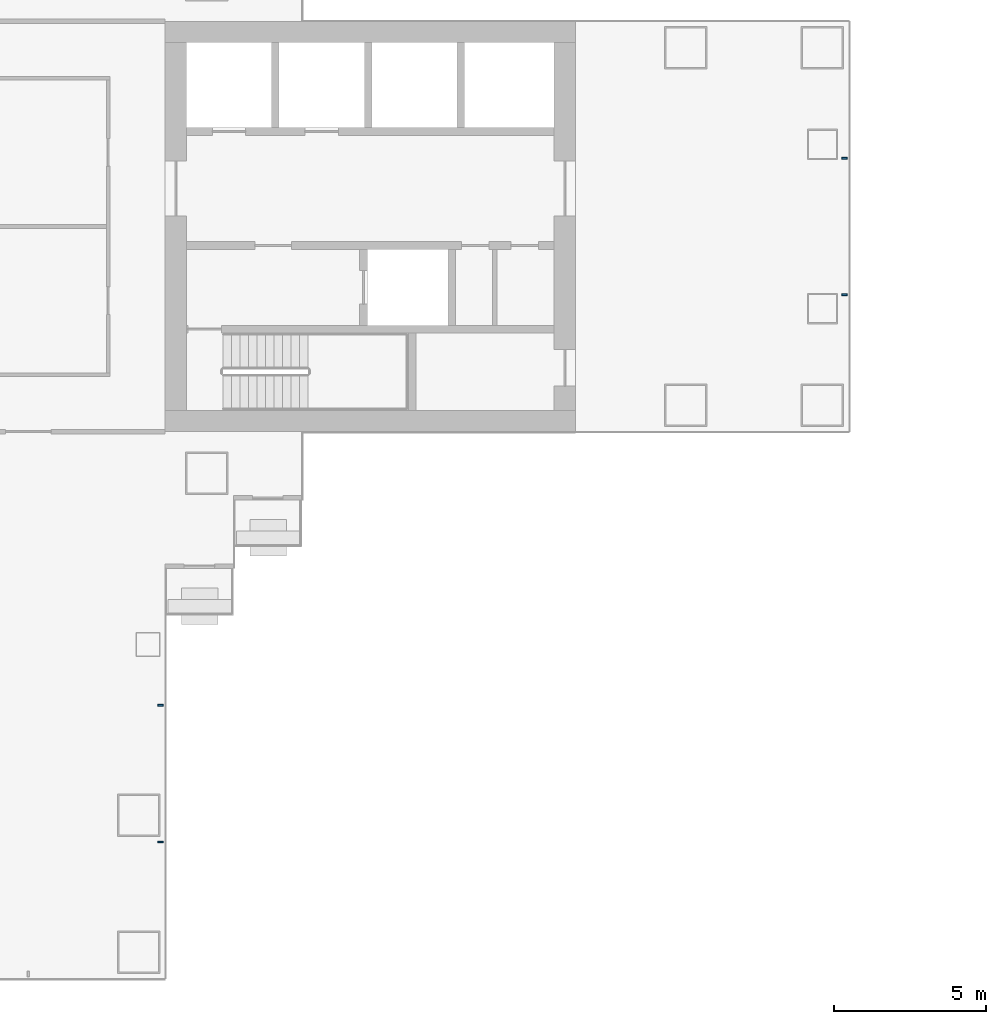
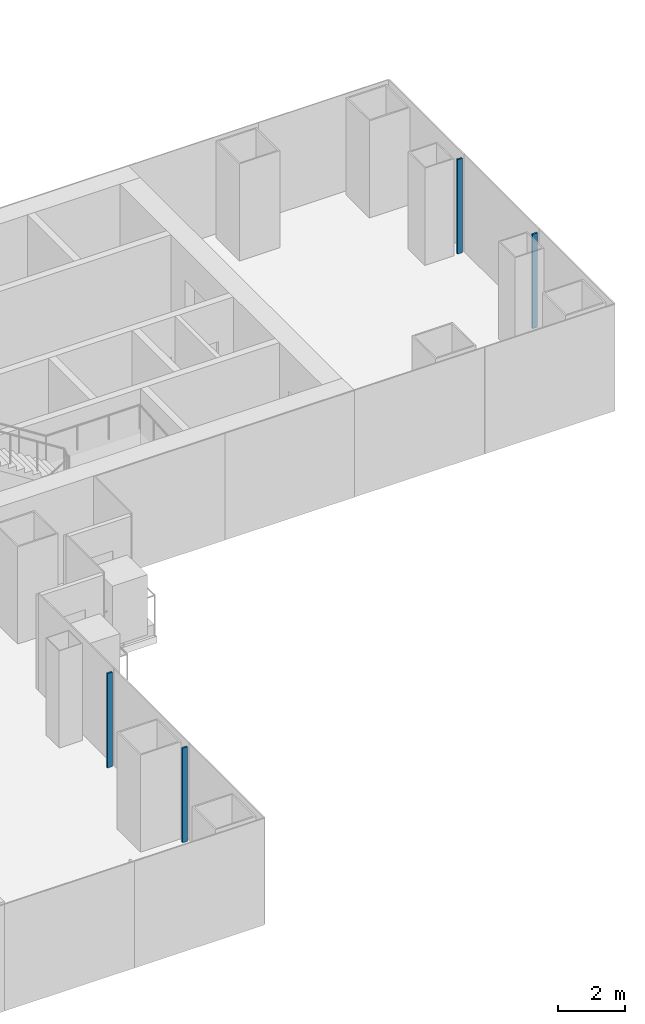
# One storey, part 5 of 21: 4 members, 2 elements without a shape of their own.
"""IFC4 building model written with IfcOpenShell, lengths in metres."""

from ifc_helpers import new_model, si_unit, direction, frame, origin, origin_2d, place, context, subcontext, project, spatial, rectangle, extrude, material, layer, layer_set, material_profile, profile_set, type_object, element, aggregate, save


model = new_model("IFC4")

# Units and contexts
model_context = context("Model", 3, precision=1e-05, world=origin(), true_north=direction((0.0, 1.0)))
body_context = subcontext(model_context, "Body", "Model", "MODEL_VIEW")
ifc_project = project(units=[si_unit("LENGTHUNIT", "METRE"), si_unit("AREAUNIT", "SQUARE_METRE"), si_unit("VOLUMEUNIT", "CUBIC_METRE"), si_unit("PLANEANGLEUNIT", "RADIAN"), si_unit("MASSUNIT", "GRAM", prefix="KILO")], contexts=[model_context])

# Site, building, storey
site_placement = place(None, origin())
site = spatial("IfcSite", under=ifc_project, at=site_placement, CompositionType="ELEMENT")
building_placement = place(site_placement, origin())
building = spatial("IfcBuilding", under=site, at=building_placement, Name="Shamsa Quay Exchange Towers", CompositionType="ELEMENT")
storey_placement = place(building_placement, frame((0.0, 0.0, 65.39990234375)))
storey = spatial("IfcBuildingStorey", under=building, at=storey_placement, Name="L14", CompositionType="ELEMENT", Elevation=65.39990234375)

# Curtain wall, members
ifc_material = material(Name="Aluminium EN AW-6063 T6, black anodised", Category="aluminium")
ifc_layer = layer(ifc_material, 0.280029296875)
ifc_layer_set = layer_set([ifc_layer], Name="CW-1 UNITISED VISION GLASS")
curtain_wall_type = type_object("IfcCurtainWallType", Name="CW-1 UNITISED VISION GLASS", PredefinedType="NOTDEFINED", material=ifc_layer_set)
curtain_wall_1_placement = place(storey_placement, origin())
curtain_wall_1 = element("IfcCurtainWall", 1, at=curtain_wall_1_placement, inside=storey, type_object=curtain_wall_type, Name="CW1 T1-FLK-V-E L14", PredefinedType="NOTDEFINED")
ifc_material_profile = material_profile(ifc_material, rectangle(XDim=0.179931640625, YDim=0.06005859375, at=origin_2d()), Name="MU60x180")
ifc_profile_set = profile_set([ifc_material_profile], Name="Aluminium EN AW-6063 T6, black anodised")
member_type = type_object("IfcMemberType", Name="CW1 MULLION 60x180", PredefinedType="MULLION", material=ifc_profile_set)
member_1_placement = place(storey_placement, frame((-27.14990234375, -20.25, 0.0), z_axis=(0.0, 0.0, 1.0), x_axis=(-1.0, 0.0, 0.0)))
member_1 = element("IfcMember", 2, at=member_1_placement, type_object=member_type, Name="CW1 mullion", PredefinedType="MULLION", context=body_context, shape_type="SweptSolid", body=[
    extrude(rectangle(XDim=0.179931640625, YDim=0.06005859375, at=origin_2d()), origin(), (0.0, 0.0, 1.0), 3.4501953125),
])
member_2_placement = place(storey_placement, frame((-27.14990234375, -15.75, 0.0), z_axis=(0.0, 0.0, 1.0), x_axis=(-1.0, 0.0, 0.0)))
member_2 = element("IfcMember", 3, at=member_2_placement, type_object=member_type, Name="CW1 mullion", PredefinedType="MULLION", context=body_context, shape_type="SweptSolid", body=[
    extrude(rectangle(XDim=0.179931640625, YDim=0.06005859375, at=origin_2d()), origin(), (0.0, 0.0, 1.0), 3.4501953125),
])
aggregate(curtain_wall_1, [member_1, member_2])

curtain_wall_2_placement = place(storey_placement, origin())
curtain_wall_2 = element("IfcCurtainWall", 4, at=curtain_wall_2_placement, inside=storey, type_object=curtain_wall_type, Name="CW1 T1-END-U+ L14", PredefinedType="NOTDEFINED")
member_3_placement = place(storey_placement, frame((-4.64990234375, -2.25, 0.0), z_axis=(0.0, 0.0, 1.0), x_axis=(-1.0, 0.0, 0.0)))
member_3 = element("IfcMember", 5, at=member_3_placement, type_object=member_type, Name="CW1 mullion", PredefinedType="MULLION", context=body_context, shape_type="SweptSolid", body=[
    extrude(rectangle(XDim=0.179931640625, YDim=0.06005859375, at=origin_2d()), origin(), (0.0, 0.0, 1.0), 3.4501953125),
])
member_4_placement = place(storey_placement, frame((-4.64990234375, 2.25, 0.0), z_axis=(0.0, 0.0, 1.0), x_axis=(-1.0, 0.0, 0.0)))
member_4 = element("IfcMember", 6, at=member_4_placement, type_object=member_type, Name="CW1 mullion", PredefinedType="MULLION", context=body_context, shape_type="SweptSolid", body=[
    extrude(rectangle(XDim=0.179931640625, YDim=0.06005859375, at=origin_2d()), origin(), (0.0, 0.0, 1.0), 3.4501953125),
])
aggregate(curtain_wall_2, [member_3, member_4])

save(model, "model.ifc")
